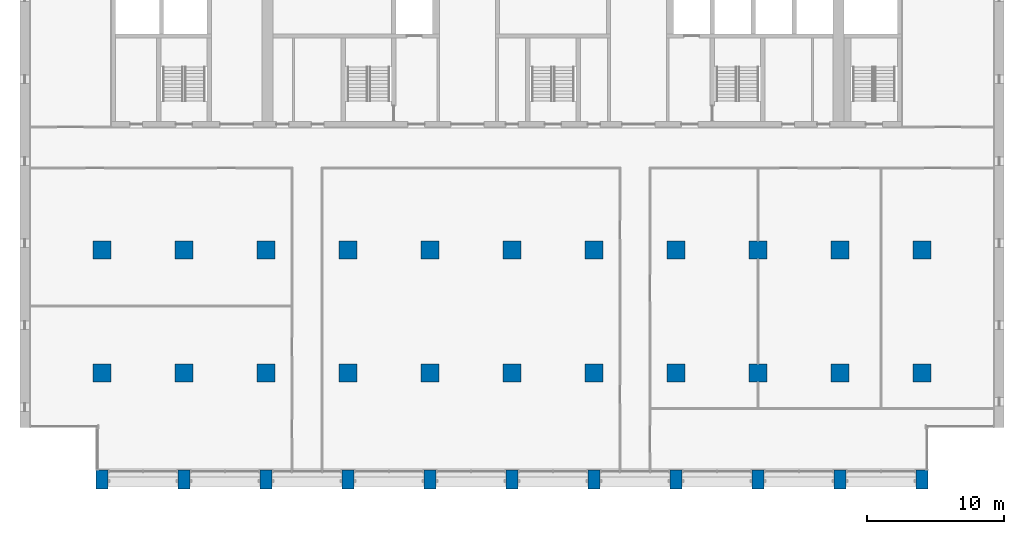
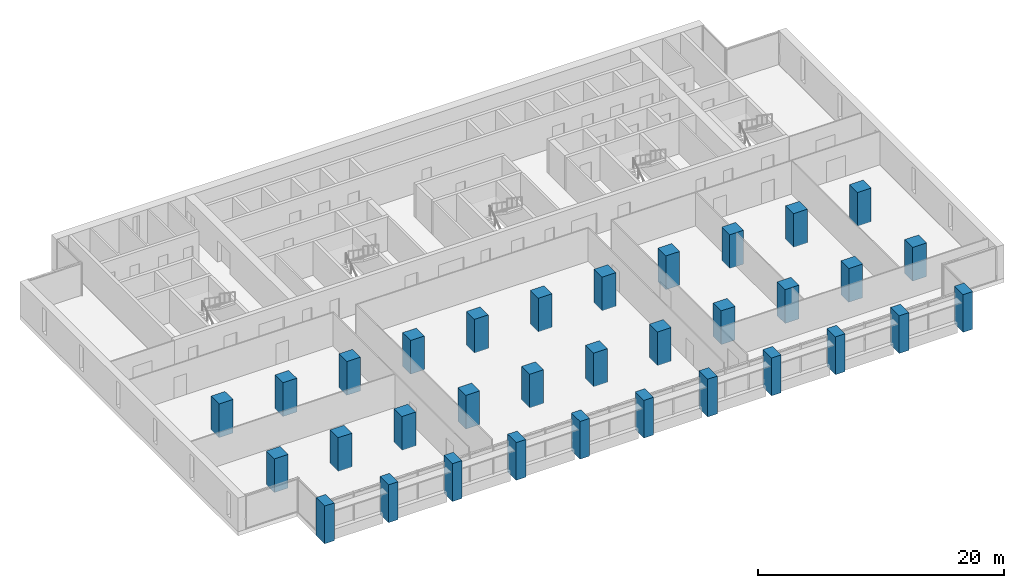
# One storey, part 1 of 15: 33 columns.
"""IFC4 building model written with IfcOpenShell, lengths in metres."""

from ifc_helpers import new_model, si_unit, direction, frame, origin, origin_2d, place, context, subcontext, project, spatial, rectangle, extrude, material, material_profile, profile_set, type_object, element, save


model = new_model("IFC4")

# Units and contexts
model_context = context("Model", 3, precision=1e-05, world=origin(), true_north=direction((0.0, 1.0)))
body_context = subcontext(model_context, "Body", "Model", "MODEL_VIEW")
ifc_project = project(units=[si_unit("LENGTHUNIT", "METRE"), si_unit("AREAUNIT", "SQUARE_METRE"), si_unit("VOLUMEUNIT", "CUBIC_METRE"), si_unit("PLANEANGLEUNIT", "RADIAN"), si_unit("MASSUNIT", "GRAM", prefix="KILO")], contexts=[model_context])

# Site, building, storey
site_placement = place(None, origin())
site = spatial("IfcSite", under=ifc_project, at=site_placement, CompositionType="ELEMENT")
building_placement = place(site_placement, origin())
building = spatial("IfcBuilding", under=site, at=building_placement, Name="Calvaro Tower", CompositionType="ELEMENT")
storey_placement = place(building_placement, frame((0.0, 0.0, 128.75)))
storey = spatial("IfcBuildingStorey", under=building, at=storey_placement, Name="L32", CompositionType="ELEMENT", Elevation=128.75)

# Columns
ifc_material_1 = material(Name="Concrete C60/75", Category="concrete")
ifc_material_profile_1 = material_profile(ifc_material_1, rectangle(XDim=1.300048828125, YDim=1.300048828125, at=origin_2d()), Name="RC 1300x1300")
ifc_profile_set_1 = profile_set([ifc_material_profile_1], Name="Concrete C60/75")
column_type_1 = type_object("IfcColumnType", Name="Column 1300x1300 C60/75", PredefinedType="COLUMN", material=ifc_profile_set_1)
for number, where, z_axis, x_axis, name in (
    (1, (6.0, 10.0, 0.0), (0.0, 0.0, 1.0), (1.0, 0.0, 0.0), "Column 2B"),
    (2, (6.0, 19.0, 0.0), (0.0, 0.0, 1.0), (1.0, 0.0, 0.0), "Column 2C"),
    (3, (12.0, 10.0, 0.0), (0.0, 0.0, 1.0), (1.0, 0.0, 0.0), "Column 3B"),
    (4, (12.0, 19.0, 0.0), (0.0, 0.0, 1.0), (1.0, 0.0, 0.0), "Column 3C"),
    (5, (18.0, 10.0, 0.0), (0.0, 0.0, 1.0), (1.0, 0.0, 0.0), "Column 4B"),
    (6, (18.0, 19.0, 0.0), (0.0, 0.0, 1.0), (1.0, 0.0, 0.0), "Column 4C"),
    (7, (24.0, 10.0, 0.0), (0.0, 0.0, 1.0), (1.0, 0.0, 0.0), "Column 5B"),
    (8, (24.0, 19.0, 0.0), (0.0, 0.0, 1.0), (1.0, 0.0, 0.0), "Column 5C"),
    (9, (30.0, 10.0, 0.0), (0.0, 0.0, 1.0), (1.0, 0.0, 0.0), "Column 6B"),
    (10, (30.0, 19.0, 0.0), (0.0, 0.0, 1.0), (1.0, 0.0, 0.0), "Column 6C"),
    (11, (36.0, 10.0, 0.0), (0.0, 0.0, 1.0), (1.0, 0.0, 0.0), "Column 7B"),
    (12, (36.0, 19.0, 0.0), (0.0, 0.0, 1.0), (1.0, 0.0, 0.0), "Column 7C"),
    (13, (42.0, 10.0, 0.0), (0.0, 0.0, 1.0), (1.0, 0.0, 0.0), "Column 8B"),
    (14, (42.0, 19.0, 0.0), (0.0, 0.0, 1.0), (1.0, 0.0, 0.0), "Column 8C"),
    (15, (48.0, 10.0, 0.0), (0.0, 0.0, 1.0), (1.0, 0.0, 0.0), "Column 9B"),
    (16, (48.0, 19.0, 0.0), (0.0, 0.0, 1.0), (1.0, 0.0, 0.0), "Column 9C"),
    (17, (54.0, 10.0, 0.0), (0.0, 0.0, 1.0), (1.0, 0.0, 0.0), "Column 10B"),
    (18, (54.0, 19.0, 0.0), (0.0, 0.0, 1.0), (1.0, 0.0, 0.0), "Column 10C"),
    (19, (60.0, 10.0, 0.0), (0.0, 0.0, 1.0), (1.0, 0.0, 0.0), "Column 11B"),
    (20, (60.0, 19.0, 0.0), (0.0, 0.0, 1.0), (1.0, 0.0, 0.0), "Column 11C"),
    (21, (66.0, 10.0, 0.0), (0.0, 0.0, 1.0), (1.0, 0.0, 0.0), "Column 12B"),
    (22, (66.0, 19.0, 0.0), (0.0, 0.0, 1.0), (1.0, 0.0, 0.0), "Column 12C"),
):
    element("IfcColumn", number, at=place(storey_placement, frame(where, z_axis=z_axis, x_axis=x_axis)), inside=storey, type_object=column_type_1, Name=name, PredefinedType="COLUMN", context=body_context, shape_type="SweptSolid", body=[
        extrude(rectangle(XDim=1.300048828125, YDim=1.300048828125, at=origin_2d()), origin(), (0.0, 0.0, 1.0), 3.35009765625),
    ])
ifc_material_2 = material(Name="Concrete C60/75", Category="concrete")
ifc_material_profile_2 = material_profile(ifc_material_2, rectangle(XDim=0.89990234375, YDim=1.39990234375, at=origin_2d()), Name="RC 900x1400")
ifc_profile_set_2 = profile_set([ifc_material_profile_2], Name="Concrete C60/75")
column_type_2 = type_object("IfcColumnType", Name="Pier 900x1400 C60/75", PredefinedType="COLUMN", material=ifc_profile_set_2)
for number, where, z_axis, x_axis, name in (
    (23, (6.0, 2.199951171875, -0.39990234375), (0.0, 0.0, 1.0), (1.0, 0.0, 0.0), "South pier 2"),
    (24, (12.0, 2.199951171875, -0.39990234375), (0.0, 0.0, 1.0), (1.0, 0.0, 0.0), "South pier 3"),
    (25, (18.0, 2.199951171875, -0.39990234375), (0.0, 0.0, 1.0), (1.0, 0.0, 0.0), "South pier 4"),
    (26, (24.0, 2.199951171875, -0.39990234375), (0.0, 0.0, 1.0), (1.0, 0.0, 0.0), "South pier 5"),
    (27, (30.0, 2.199951171875, -0.39990234375), (0.0, 0.0, 1.0), (1.0, 0.0, 0.0), "South pier 6"),
    (28, (36.0, 2.199951171875, -0.39990234375), (0.0, 0.0, 1.0), (1.0, 0.0, 0.0), "South pier 7"),
    (29, (42.0, 2.199951171875, -0.39990234375), (0.0, 0.0, 1.0), (1.0, 0.0, 0.0), "South pier 8"),
    (30, (48.0, 2.199951171875, -0.39990234375), (0.0, 0.0, 1.0), (1.0, 0.0, 0.0), "South pier 9"),
    (31, (54.0, 2.199951171875, -0.39990234375), (0.0, 0.0, 1.0), (1.0, 0.0, 0.0), "South pier 10"),
    (32, (60.0, 2.199951171875, -0.39990234375), (0.0, 0.0, 1.0), (1.0, 0.0, 0.0), "South pier 11"),
    (33, (66.0, 2.199951171875, -0.39990234375), (0.0, 0.0, 1.0), (1.0, 0.0, 0.0), "South pier 12"),
):
    element("IfcColumn", number, at=place(storey_placement, frame(where, z_axis=z_axis, x_axis=x_axis)), inside=storey, type_object=column_type_2, Name=name, PredefinedType="COLUMN", context=body_context, shape_type="SweptSolid", body=[
        extrude(rectangle(XDim=0.89990234375, YDim=1.39990234375, at=origin_2d()), origin(), (0.0, 0.0, 1.0), 3.75),
    ])

save(model, "model.ifc")
